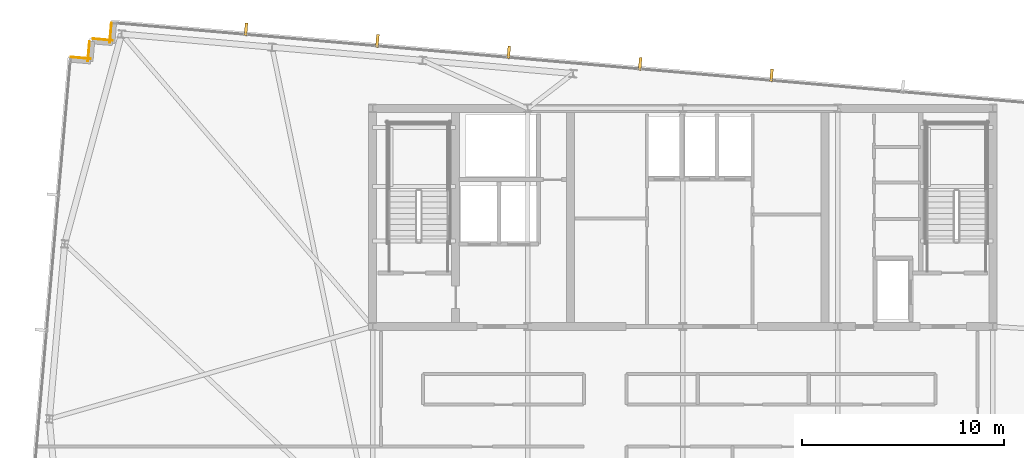
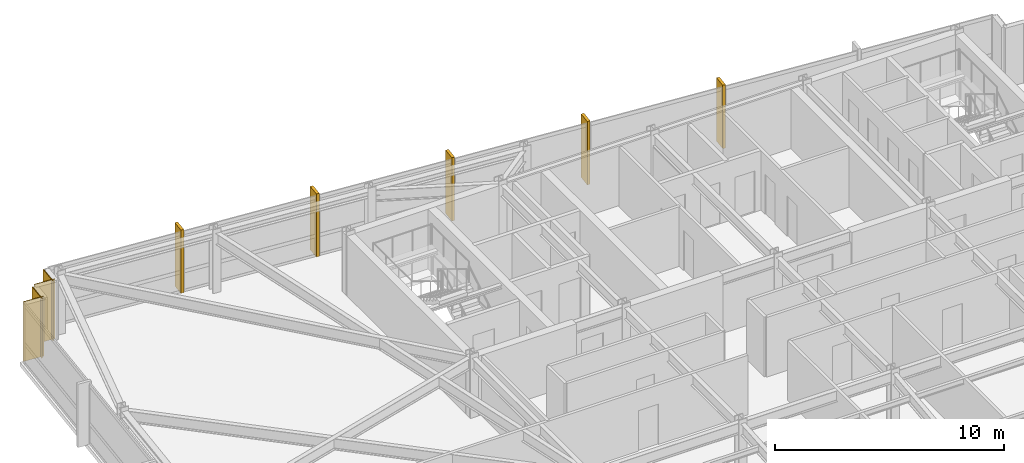
# One storey, part 24 of 24: 5 shading devices, 4 coverings.
"""IFC4 building model written with IfcOpenShell, lengths in metres."""

from ifc_helpers import new_model, si_unit, direction, frame, frame_2d, origin, origin_2d, place, context, subcontext, project, spatial, rectangle, extrude, material, layer, layer_set, type_object, element, save


model = new_model("IFC4")

# Units and contexts
model_context = context("Model", 3, precision=1e-05, world=origin(), true_north=direction((0.0, 1.0)))
body_context = subcontext(model_context, "Body", "Model", "MODEL_VIEW")
ifc_project = project(units=[si_unit("LENGTHUNIT", "METRE"), si_unit("AREAUNIT", "SQUARE_METRE"), si_unit("VOLUMEUNIT", "CUBIC_METRE"), si_unit("PLANEANGLEUNIT", "RADIAN"), si_unit("MASSUNIT", "GRAM", prefix="KILO")], contexts=[model_context])

# Site, building, storey
site_placement = place(None, origin())
site = spatial("IfcSite", under=ifc_project, at=site_placement, CompositionType="ELEMENT")
building_placement = place(site_placement, origin())
building = spatial("IfcBuilding", under=site, at=building_placement, Name="Yelkora Congress Tower", CompositionType="ELEMENT")
storey_placement = place(building_placement, frame((0.0, 0.0, 296.5)))
storey = spatial("IfcBuildingStorey", under=building, at=storey_placement, Name="L83", CompositionType="ELEMENT", Elevation=296.5)

# Coverings
ifc_material_1 = material(Name="Anatolian bush-hammered limestone", Category="masonry")
ifc_layer_1 = layer(ifc_material_1, 0.0400390625)
ifc_layer_set_1 = layer_set([ifc_layer_1], Name="Anatolian bush-hammered limestone")
covering_type = type_object("IfcCoveringType", Name="COV-CLAD-SPANDREL-40", PredefinedType="CLADDING", material=ifc_layer_set_1)
for number, where, z_axis, x_axis, name in (
    (1, (8.0849609375, 48.744140625, 0.0), (0.0, 0.0, 1.0), (0.996195572005, -0.087145753297, 0.0), "L83 Anatolian Limestone Cladding EW-L83-SR06"),
    (2, (8.93505859375, 48.5341796875, 0.0), (0.0, 0.0, 1.0), (0.087145753297, 0.996195572005, 0.0), "L83 Anatolian Limestone Cladding EW-L83-SR07"),
):
    element("IfcCovering", number, at=place(storey_placement, frame(where, z_axis=z_axis, x_axis=x_axis)), inside=storey, type_object=covering_type, Name=name, PredefinedType="CLADDING", context=body_context, shape_type="SweptSolid", body=[
        extrude(rectangle(XDim=1.000244140625, YDim=0.0400390625, at=frame_2d((0.5, 0.0))), origin(), (0.0, 0.0, 1.0), 3.179931640625),
    ])
covering_1_placement = place(storey_placement, frame((9.16845703125, 49.6533203125, 0.0), z_axis=(0.0, 0.0, 1.0), x_axis=(0.996193717496, -0.087166950281, 0.0)))
element("IfcCovering", 3, at=covering_1_placement, inside=storey, type_object=covering_type, Name="L83 Anatolian Limestone Cladding EW-L83-SR08", PredefinedType="CLADDING", context=body_context, shape_type="SweptSolid", body=[
    extrude(rectangle(XDim=1.0, YDim=0.0400390625, at=frame_2d((0.5, 0.0))), origin(), (0.0, 0.0, 1.0), 3.179931640625),
])
covering_2_placement = place(storey_placement, frame((10.018310546875, 49.443359375, 0.0), z_axis=(0.0, 0.0, 1.0), x_axis=(0.087145753297, 0.996195572005, 0.0)))
element("IfcCovering", 4, at=covering_2_placement, inside=storey, type_object=covering_type, Name="L83 Anatolian Limestone Cladding EW-L83-SR09", PredefinedType="CLADDING", context=body_context, shape_type="SweptSolid", body=[
    extrude(rectangle(XDim=1.000244140625, YDim=0.0400390625, at=frame_2d((0.5, 0.0))), origin(), (0.0, 0.0, 1.0), 3.179931640625),
])

# Shading devices
ifc_material_2 = material(Name="Champagne anodised aluminium", Category="aluminium")
ifc_layer_2 = layer(ifc_material_2, 3.39990234375)
ifc_layer_set_2 = layer_set([ifc_layer_2], Name="Champagne anodised aluminium")
shading_device_type = type_object("IfcShadingDeviceType", Name="SHD-FIN-ALU-640", PredefinedType="USERDEFINED", material=ifc_layer_set_2)
for number, where, z_axis, x_axis, name in (
    (5, (16.769287109375, 50.11767578125, -0.030029296875), (0.0, 0.0, 1.0), (0.996194698092, -0.087155742748, 0.0), "L83 Vertical Anodised Solar Fin 10-1"),
    (6, (23.27587890625, 49.54833984375, -0.030029296875), (0.0, 0.0, 1.0), (0.996194698092, -0.087155742748, 0.0), "L83 Vertical Anodised Solar Fin 10-2"),
    (7, (29.782470703125, 48.97900390625, -0.030029296875), (0.0, 0.0, 1.0), (0.996194698092, -0.087155742748, 0.0), "L83 Vertical Anodised Solar Fin 10-3"),
    (8, (36.2890625, 48.409912109375, -0.030029296875), (0.0, 0.0, 1.0), (0.996194698092, -0.087155742748, 0.0), "L83 Vertical Anodised Solar Fin 10-4"),
    (9, (42.79541015625, 47.840576171875, -0.030029296875), (0.0, 0.0, 1.0), (0.996194698092, -0.087155742748, 0.0), "L83 Vertical Anodised Solar Fin 10-5"),
):
    element("IfcShadingDevice", number, at=place(storey_placement, frame(where, z_axis=z_axis, x_axis=x_axis)), inside=storey, type_object=shading_device_type, Name=name, ObjectType="FIN", PredefinedType="USERDEFINED", context=body_context, shape_type="SweptSolid", body=[
        extrude(rectangle(XDim=0.139892578125, YDim=0.639892578125, at=origin_2d()), origin(), (0.0, 0.0, 1.0), 3.3798828125),
    ])

save(model, "model.ifc")
